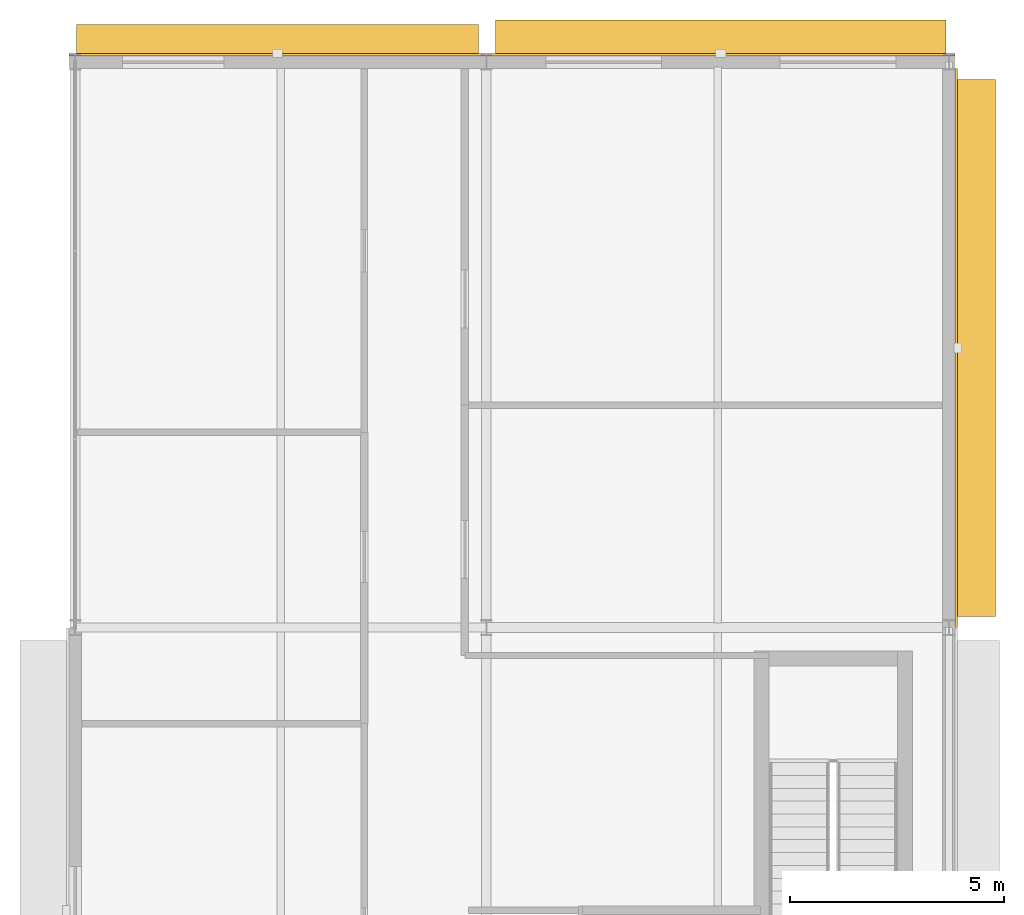
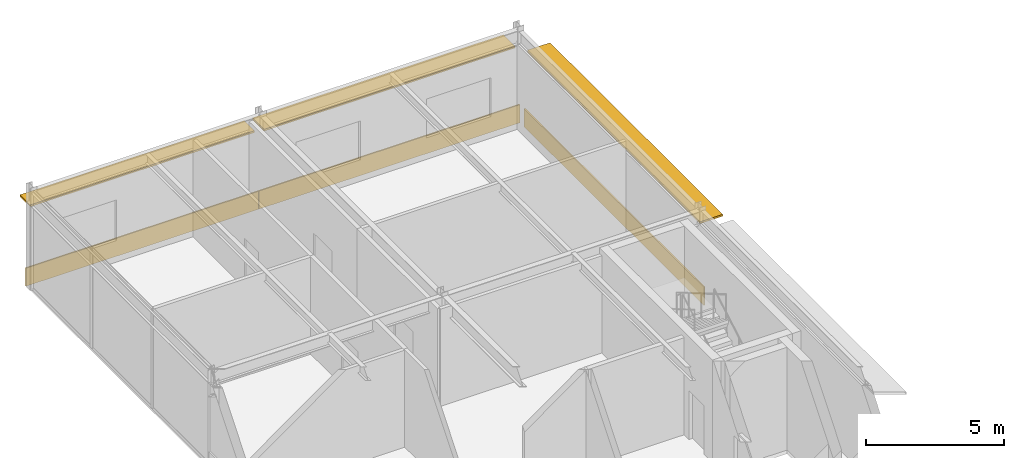
# One storey, part 17 of 17: 3 coverings, 3 shading devices.
"""IFC4 building model written with IfcOpenShell, lengths in metres."""

from ifc_helpers import new_model, si_unit, direction, frame, origin, origin_2d, place, context, subcontext, project, spatial, rectangle, extrude, material, layer, layer_set, type_object, element, save


model = new_model("IFC4")

# Units and contexts
model_context = context("Model", 3, precision=1e-05, world=origin(), true_north=direction((0.0, 1.0)))
body_context = subcontext(model_context, "Body", "Model", "MODEL_VIEW")
ifc_project = project(units=[si_unit("LENGTHUNIT", "METRE"), si_unit("AREAUNIT", "SQUARE_METRE"), si_unit("VOLUMEUNIT", "CUBIC_METRE"), si_unit("PLANEANGLEUNIT", "RADIAN"), si_unit("MASSUNIT", "GRAM", prefix="KILO")], contexts=[model_context])

# Site, building, storey
site_placement = place(None, origin())
site = spatial("IfcSite", under=ifc_project, at=site_placement, CompositionType="ELEMENT")
building_placement = place(site_placement, origin())
building = spatial("IfcBuilding", under=site, at=building_placement, Name="Almandine Court Research Institute", CompositionType="ELEMENT")
storey_placement = place(building_placement, frame((0.0, 0.0, 32.550048828125)))
storey = spatial("IfcBuildingStorey", under=building, at=storey_placement, Name="L07", CompositionType="ELEMENT", Elevation=32.550048828125)

# Coverings
ifc_material_1 = material(Name="Extruded Cream-Ochre Seismic Terracotta Spandrel", Category="masonry")
ifc_layer_1 = layer(ifc_material_1, 0.054931640625)
ifc_layer_set_1 = layer_set([ifc_layer_1], Name="Extruded Cream-Ochre Seismic Terracotta Spandrel")
covering_type = type_object("IfcCoveringType", Name="Cov-CLAD-TERR", PredefinedType="CLADDING", material=ifc_layer_set_1)
covering_1_placement = place(storey_placement, frame((158.325927734375, 70.970947265625, 0.02001953125), z_axis=(0.0, 0.0, 1.0), x_axis=(1.0, 0.0, 0.0)))
element("IfcCovering", 1, at=covering_1_placement, inside=storey, type_object=covering_type, Name="L07 Facade Spandrel Cladding Band 218", PredefinedType="CLADDING", context=body_context, shape_type="SweptSolid", body=[
    extrude(rectangle(XDim=9.740966796875, YDim=0.054931640625, at=origin_2d()), origin(), (0.0, 0.0, 1.0), 0.800048828125),
])
covering_2_placement = place(storey_placement, frame((168.675048828125, 70.970947265625, 0.02001953125), z_axis=(0.0, 0.0, 1.0), x_axis=(1.0, 0.0, 0.0)))
element("IfcCovering", 2, at=covering_2_placement, inside=storey, type_object=covering_type, Name="L07 Facade Spandrel Cladding Band 219", PredefinedType="CLADDING", context=body_context, shape_type="SweptSolid", body=[
    extrude(rectangle(XDim=10.94091796875, YDim=0.054931640625, at=origin_2d()), origin(), (0.0, 0.0, 1.0), 0.800048828125),
])
covering_3_placement = place(storey_placement, frame((174.1708984375, 64.126953125, 0.02001953125), z_axis=(0.0, 0.0, 1.0), x_axis=(0.0, -1.0, 0.0)))
element("IfcCovering", 3, at=covering_3_placement, inside=storey, type_object=covering_type, Name="L07 Facade Spandrel Cladding Band 220", PredefinedType="CLADDING", context=body_context, shape_type="SweptSolid", body=[
    extrude(rectangle(XDim=13.047119140625, YDim=0.054931640625, at=origin_2d()), origin(), (0.0, 0.0, 1.0), 0.800048828125),
])

# Shading devices
ifc_material_2 = material(Name="Precast GFRC Chhajja Sunshade and Acoustic Louvre", Category="concrete")
ifc_layer_2 = layer(ifc_material_2, 0.080078125)
ifc_layer_set_2 = layer_set([ifc_layer_2], Name="Precast GFRC Chhajja Sunshade and Acoustic Louvre")
shading_device_type_1 = type_object("IfcShadingDeviceType", Name="Shd-SD-65", PredefinedType="AWNING", material=ifc_layer_set_2)
shading_device_1_placement = place(storey_placement, frame((158.325927734375, 71.31005859375, 3.48291015625), z_axis=(0.0, 0.0, 1.0), x_axis=(1.0, 0.0, 0.0)))
element("IfcShadingDevice", 4, at=shading_device_1_placement, inside=storey, type_object=shading_device_type_1, Name="L07 Projecting Chhajja Sunshade 152", PredefinedType="AWNING", context=body_context, shape_type="SweptSolid", body=[
    extrude(rectangle(XDim=9.39111328125, YDim=0.75, at=origin_2d()), origin(), (0.0, 0.0, 1.0), 0.080078125),
])
ifc_layer_3 = layer(ifc_material_2, 0.080078125)
ifc_layer_set_3 = layer_set([ifc_layer_3], Name="Precast GFRC Chhajja Sunshade and Acoustic Louvre")
shading_device_type_2 = type_object("IfcShadingDeviceType", Name="Shd-SD-66", PredefinedType="AWNING", material=ifc_layer_set_3)
shading_device_2_placement = place(storey_placement, frame((168.675048828125, 71.360107421875, 3.405029296875), z_axis=(0.0, 0.0, 1.0), x_axis=(1.0, 0.0, 0.0)))
element("IfcShadingDevice", 5, at=shading_device_2_placement, inside=storey, type_object=shading_device_type_2, Name="L07 Projecting Chhajja Sunshade 153", PredefinedType="AWNING", context=body_context, shape_type="SweptSolid", body=[
    extrude(rectangle(XDim=10.510986328125, YDim=0.85009765625, at=origin_2d()), origin(), (0.0, 0.0, 1.0), 0.080078125),
])
ifc_layer_4 = layer(ifc_material_2, 0.080078125)
ifc_layer_set_4 = layer_set([ifc_layer_4], Name="Precast GFRC Chhajja Sunshade and Acoustic Louvre")
shading_device_type_3 = type_object("IfcShadingDeviceType", Name="Shd-SD-67", PredefinedType="AWNING", material=ifc_layer_set_4)
shading_device_3_placement = place(storey_placement, frame((174.610107421875, 64.126953125, 3.48681640625), z_axis=(0.0, 0.0, 1.0), x_axis=(0.0, -1.0, 0.0)))
element("IfcShadingDevice", 6, at=shading_device_3_placement, inside=storey, type_object=shading_device_type_3, Name="L07 Projecting Chhajja Sunshade 154", PredefinedType="AWNING", context=body_context, shape_type="SweptSolid", body=[
    extrude(rectangle(XDim=12.537109375, YDim=0.949951171875, at=origin_2d()), origin(), (0.0, 0.0, 1.0), 0.080078125),
])

save(model, "model.ifc")
